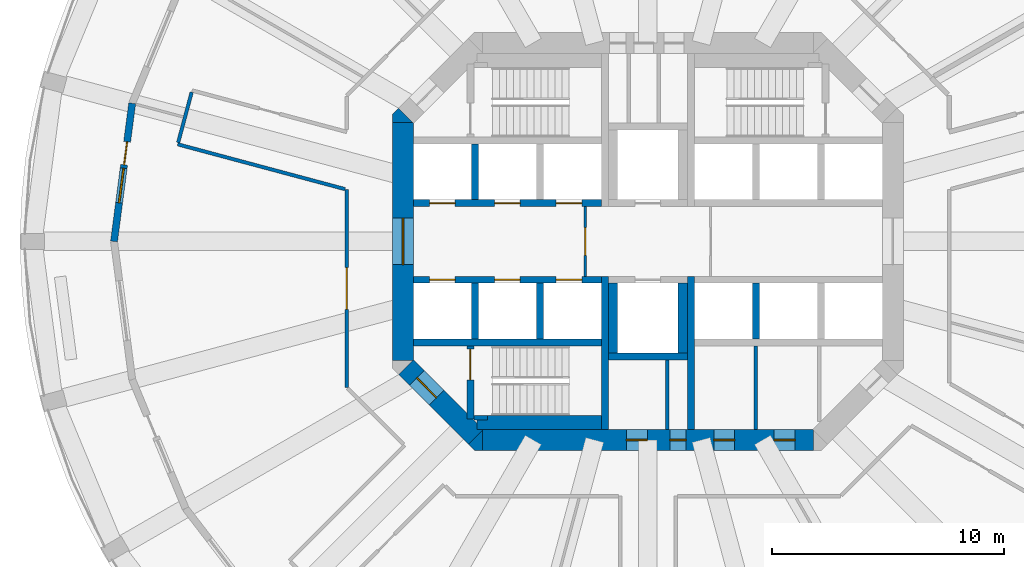
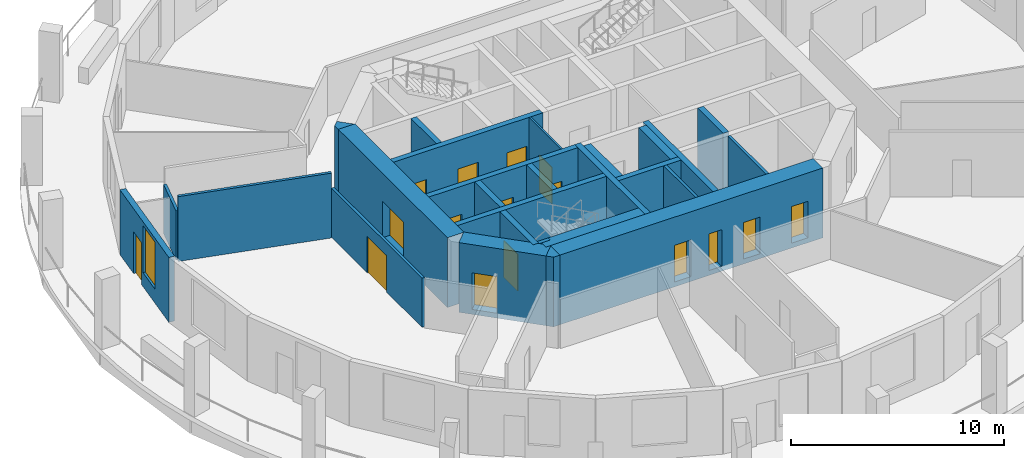
# One storey, part 3 of 9: 27 walls, 16 doors, 1 window, 17 openings.
"""IFC4 building model written with IfcOpenShell, lengths in metres."""

from ifc_helpers import new_model, si_unit, direction, frame, frame_2d, origin, place, context, subcontext, project, spatial, polyline, rectangle, outline, extrude, material, layer, layer_set, type_object, element, fill, save


model = new_model("IFC4")

# Units and contexts
model_context = context("Model", 3, precision=1e-05, world=origin(), true_north=direction((0.0, 1.0)))
body_context = subcontext(model_context, "Body", "Model", "MODEL_VIEW")
ifc_project = project(units=[si_unit("LENGTHUNIT", "METRE"), si_unit("AREAUNIT", "SQUARE_METRE"), si_unit("VOLUMEUNIT", "CUBIC_METRE"), si_unit("PLANEANGLEUNIT", "RADIAN"), si_unit("MASSUNIT", "GRAM", prefix="KILO")], contexts=[model_context])

# Site, building, storey
site_placement = place(None, origin())
site = spatial("IfcSite", under=ifc_project, at=site_placement, CompositionType="ELEMENT")
building_placement = place(site_placement, origin())
building = spatial("IfcBuilding", under=site, at=building_placement, Name="Torre Triforio", CompositionType="ELEMENT")
storey_placement = place(building_placement, frame((0.0, 0.0, 47.0)))
storey = spatial("IfcBuildingStorey", under=building, at=storey_placement, Name="L09", CompositionType="ELEMENT", Elevation=47.0)

# Walls
ifc_material_1 = material(Name="Concrete C60", Category="concrete")
ifc_layer_1 = layer(ifc_material_1, 0.300048828125)
ifc_layer_set_1 = layer_set([ifc_layer_1], Name="Concrete C60")
wall_type_1 = type_object("IfcWallType", Name="Core wall 300 mm C60 EI 120", PredefinedType="SHEAR", material=ifc_layer_set_1)
for number, where, z_axis, x_axis, name in (
    (1, (-1.85009765625, -8.10009765625, 0.0), (0.0, 0.0, 1.0), (0.0, 1.0, 0.0), "Core wall"),
    (2, (1.85009765625, -8.10009765625, 0.0), (0.0, 0.0, 1.0), (0.0, 1.0, 0.0), "Core wall"),
):
    element("IfcWall", number, at=place(storey_placement, frame(where, z_axis=z_axis, x_axis=x_axis)), inside=storey, type_object=wall_type_1, Name=name, PredefinedType="SHEAR", context=body_context, shape_type="SweptSolid", body=[
        extrude(rectangle(XDim=6.60009765625, YDim=0.300048828125, at=frame_2d((3.300048828125, 0.0))), origin(), (0.0, 0.0, 1.0), 3.719970703125),
    ])

# Wall, openings, doors
ifc_layer_2 = layer(ifc_material_1, 0.89990234375)
ifc_layer_set_2 = layer_set([ifc_layer_2], Name="Concrete C60")
wall_type_2 = type_object("IfcWallType", Name="Core wall 900 mm C60 EI 120", PredefinedType="SHEAR", material=ifc_layer_set_2)
wall_1_placement = place(storey_placement, frame((-7.1298828125, -8.550048828125, -0.280029296875), z_axis=(0.0, 0.0, 1.0), x_axis=(1.0, 0.0, 0.0)))
wall_1 = element("IfcWall", 3, at=wall_1_placement, inside=storey, type_object=wall_type_2, Name="Core wall", PredefinedType="SHEAR", context=body_context, shape_type="SweptSolid", body=[
    extrude(rectangle(XDim=14.259765625, YDim=0.89990234375, at=frame_2d((7.1298828125, 0.0))), origin(), (0.0, 0.0, 1.0), 4.0),
])
opening_1_placement = place(wall_1_placement, frame((8.080078125, 0.0, 0.280029296875)))
opening_1 = element("IfcOpeningElement", 4, at=opening_1_placement, cuts=wall_1, Name="Opening RISER-S", PredefinedType="OPENING", context=body_context, shape_type="SweptSolid", body=[
    extrude(rectangle(XDim=0.699951171875, YDim=2.10009765625, at=frame_2d((0.35009765625, 1.050048828125))), frame((0.0, 0.4599609375, 0.0), z_axis=(0.0, -1.0, 0.0), x_axis=(1.0, 0.0, 0.0)), (0.0, 0.0, 1.0), 0.919921875),
])
opening_2_placement = place(wall_1_placement, frame((6.205078125, 0.0, 0.280029296875)))
opening_2 = element("IfcOpeningElement", 5, at=opening_2_placement, cuts=wall_1, Name="Opening SW-01B", PredefinedType="OPENING", context=body_context, shape_type="SweptSolid", body=[
    extrude(rectangle(XDim=0.89990234375, YDim=2.10009765625, at=frame_2d((0.449951171875, 1.050048828125))), frame((0.0, 0.4599609375, 0.0), z_axis=(0.0, -1.0, 0.0), x_axis=(1.0, 0.0, 0.0)), (0.0, 0.0, 1.0), 0.919921875),
])
opening_3_placement = place(wall_1_placement, frame((9.967041015625, 0.0, 0.280029296875)))
opening_3 = element("IfcOpeningElement", 6, at=opening_3_placement, cuts=wall_1, Name="Opening SE-01A", PredefinedType="OPENING", context=body_context, shape_type="SweptSolid", body=[
    extrude(rectangle(XDim=0.89990234375, YDim=2.10009765625, at=frame_2d((0.449951171875, 1.050048828125))), frame((0.0, 0.4599609375, 0.0), z_axis=(0.0, -1.0, 0.0), x_axis=(1.0, 0.0, 0.0)), (0.0, 0.0, 1.0), 0.919921875),
])
opening_4_placement = place(wall_1_placement, frame((12.56689453125, 0.0, 0.280029296875)))
opening_4 = element("IfcOpeningElement", 7, at=opening_4_placement, cuts=wall_1, Name="Opening SE-02", PredefinedType="OPENING", context=body_context, shape_type="SweptSolid", body=[
    extrude(rectangle(XDim=0.89990234375, YDim=2.10009765625, at=frame_2d((0.449951171875, 1.050048828125))), frame((0.0, 0.4599609375, 0.0), z_axis=(0.0, -1.0, 0.0), x_axis=(1.0, 0.0, 0.0)), (0.0, 0.0, 1.0), 0.919921875),
])
ifc_material_2 = material(Name="Hollow metal fire door leaf")
door_type_1 = type_object("IfcDoorType", Name="Riser door 700 x 2100 EI 60", OperationType="NOTDEFINED", PredefinedType="DOOR", material=ifc_material_2)
door_1_placement = place(opening_1_placement, origin())
door_1 = element("IfcDoor", 8, at=door_1_placement, inside=storey, type_object=door_type_1, Name="Core door RISER-S", OperationType="SINGLE_SWING_RIGHT", OverallHeight=2.10009765625, OverallWidth=0.699951171875, PredefinedType="DOOR", context=body_context, shape_type="SweptSolid", body=[
    extrude(rectangle(XDim=0.699951171875, YDim=2.10009765625, at=frame_2d((0.35009765625, 1.050048828125))), frame((0.0, 0.02490234375, 0.0), z_axis=(0.0, -1.0, 0.0), x_axis=(1.0, 0.0, 0.0)), (0.0, 0.0, 1.0), 0.050048828125),
])
fill(opening_1, door_1)
door_type_2 = type_object("IfcDoorType", Name="Room door 900 x 2100 EI 60", OperationType="NOTDEFINED", PredefinedType="DOOR", material=ifc_material_2)
door_2_placement = place(opening_2_placement, origin())
door_2 = element("IfcDoor", 9, at=door_2_placement, inside=storey, type_object=door_type_2, Name="Core door SW-01", OperationType="SINGLE_SWING_LEFT", OverallHeight=2.10009765625, OverallWidth=0.89990234375, PredefinedType="DOOR", context=body_context, shape_type="SweptSolid", body=[
    extrude(rectangle(XDim=0.89990234375, YDim=2.10009765625, at=frame_2d((0.449951171875, 1.050048828125))), frame((0.0, 0.02490234375, 0.0), z_axis=(0.0, -1.0, 0.0), x_axis=(1.0, 0.0, 0.0)), (0.0, 0.0, 1.0), 0.050048828125),
])
fill(opening_2, door_2)
door_3_placement = place(opening_3_placement, origin())
door_3 = element("IfcDoor", 10, at=door_3_placement, inside=storey, type_object=door_type_2, Name="Core door SE-01", OperationType="SINGLE_SWING_LEFT", OverallHeight=2.10009765625, OverallWidth=0.89990234375, PredefinedType="DOOR", context=body_context, shape_type="SweptSolid", body=[
    extrude(rectangle(XDim=0.89990234375, YDim=2.10009765625, at=frame_2d((0.449951171875, 1.050048828125))), frame((0.0, 0.02490234375, 0.0), z_axis=(0.0, -1.0, 0.0), x_axis=(1.0, 0.0, 0.0)), (0.0, 0.0, 1.0), 0.050048828125),
])
fill(opening_3, door_3)
door_4_placement = place(opening_4_placement, origin())
door_4 = element("IfcDoor", 11, at=door_4_placement, inside=storey, type_object=door_type_2, Name="Core door SE-02", OperationType="SINGLE_SWING_LEFT", OverallHeight=2.10009765625, OverallWidth=0.89990234375, PredefinedType="DOOR", context=body_context, shape_type="SweptSolid", body=[
    extrude(rectangle(XDim=0.89990234375, YDim=2.10009765625, at=frame_2d((0.449951171875, 1.050048828125))), frame((0.0, 0.02490234375, 0.0), z_axis=(0.0, -1.0, 0.0), x_axis=(1.0, 0.0, 0.0)), (0.0, 0.0, 1.0), 0.050048828125),
])
fill(opening_4, door_4)

# Wall, opening, door
wall_2_placement = place(storey_placement, frame((-10.550048828125, -5.1298828125, -0.280029296875), z_axis=(0.0, 0.0, 1.0), x_axis=(0.0, 1.0, 0.0)))
wall_2 = element("IfcWall", 12, at=wall_2_placement, inside=storey, type_object=wall_type_2, Name="Core wall", PredefinedType="SHEAR", context=body_context, shape_type="SweptSolid", body=[
    extrude(rectangle(XDim=10.259765625, YDim=0.89990234375, at=frame_2d((5.1298828125, 0.0))), origin(), (0.0, 0.0, 1.0), 4.0),
])
opening_5_placement = place(wall_2_placement, frame((4.1298828125, 0.0, 0.280029296875)))
opening_5 = element("IfcOpeningElement", 13, at=opening_5_placement, cuts=wall_2, Name="Opening W-RING", PredefinedType="OPENING", context=body_context, shape_type="SweptSolid", body=[
    extrude(rectangle(XDim=2.0, YDim=2.10009765625, at=frame_2d((1.0, 1.050048828125))), frame((0.0, 0.4599609375, 0.0), z_axis=(0.0, -1.0, 0.0), x_axis=(1.0, 0.0, 0.0)), (0.0, 0.0, 1.0), 0.919921875),
])
door_type_3 = type_object("IfcDoorType", Name="Lobby door 2000 x 2100 EI 60", OperationType="DOUBLE_DOOR_SINGLE_SWING", PredefinedType="DOOR", material=ifc_material_2)
door_5_placement = place(opening_5_placement, origin())
door_5 = element("IfcDoor", 14, at=door_5_placement, inside=storey, type_object=door_type_3, Name="Core door W-RING", OperationType="DOUBLE_DOOR_SINGLE_SWING", OverallHeight=2.10009765625, OverallWidth=2.0, PredefinedType="DOOR", context=body_context, shape_type="SweptSolid", body=[
    extrude(rectangle(XDim=2.0, YDim=2.10009765625, at=frame_2d((1.0, 1.050048828125))), frame((0.0, 0.02490234375, 0.0), z_axis=(0.0, -1.0, 0.0), x_axis=(1.0, 0.0, 0.0)), (0.0, 0.0, 1.0), 0.050048828125),
])
fill(opening_5, door_5)

wall_3_placement = place(storey_placement, frame((-7.418212890625, -8.418212890625, -0.280029296875), z_axis=(0.0, 0.0, 1.0), x_axis=(-0.707106781187, 0.707106781187, 0.0)))
wall_3 = element("IfcWall", 15, at=wall_3_placement, inside=storey, type_object=wall_type_2, Name="Core wall", PredefinedType="SHEAR", context=body_context, shape_type="SweptSolid", body=[
    extrude(rectangle(XDim=4.24267578125, YDim=0.89990234375, at=frame_2d((2.121337890625, 0.0))), origin(), (0.0, 0.0, 1.0), 4.0),
])
opening_6_placement = place(wall_3_placement, frame((2.392578125, 0.0, 0.280029296875)))
opening_6 = element("IfcOpeningElement", 16, at=opening_6_placement, cuts=wall_3, Name="Opening ST3-EXIT", PredefinedType="OPENING", context=body_context, shape_type="SweptSolid", body=[
    extrude(rectangle(XDim=1.199951171875, YDim=2.10009765625, at=frame_2d((0.60009765625, 1.050048828125))), frame((0.0, 0.4599609375, 0.0), z_axis=(0.0, -1.0, 0.0), x_axis=(1.0, 0.0, 0.0)), (0.0, 0.0, 1.0), 0.919921875),
])
door_type_4 = type_object("IfcDoorType", Name="Stair lobby door 1200 x 2100 EI 60", OperationType="NOTDEFINED", PredefinedType="DOOR", material=ifc_material_2)
door_6_placement = place(opening_6_placement, origin())
door_6 = element("IfcDoor", 17, at=door_6_placement, inside=storey, type_object=door_type_4, Name="Core door ST3-EXIT", OperationType="SINGLE_SWING_RIGHT", OverallHeight=2.10009765625, OverallWidth=1.199951171875, PredefinedType="DOOR", context=body_context, shape_type="SweptSolid", body=[
    extrude(rectangle(XDim=1.199951171875, YDim=2.10009765625, at=frame_2d((0.60009765625, 1.050048828125))), frame((0.0, 0.02490234375, 0.0), z_axis=(0.0, -1.0, 0.0), x_axis=(1.0, 0.0, 0.0)), (0.0, 0.0, 1.0), 0.050048828125),
])
fill(opening_6, door_6)

# Walls
wall_4_placement = place(storey_placement, frame((0.0, 0.0, -0.280029296875)))
element("IfcWall", 18, at=wall_4_placement, inside=storey, type_object=wall_type_2, Name="Core wall", PredefinedType="SHEAR", context=body_context, shape_type="SweptSolid", body=[
    extrude(outline(polyline([(-7.472900390625, -9.0), (-7.736328125, -8.736328125), (-7.1298828125, -8.1298828125), (-7.1298828125, -9.0), (-7.472900390625, -9.0)])), origin(), (0.0, 0.0, 1.0), 4.0),
])
wall_5_placement = place(storey_placement, frame((0.0, 0.0, -0.280029296875)))
element("IfcWall", 19, at=wall_5_placement, inside=storey, type_object=wall_type_2, Name="Core wall", PredefinedType="SHEAR", context=body_context, shape_type="SweptSolid", body=[
    extrude(outline(polyline([(-10.736328125, 5.736328125), (-10.1298828125, 5.1298828125), (-11.0, 5.1298828125), (-11.0, 5.472900390625), (-10.736328125, 5.736328125)])), origin(), (0.0, 0.0, 1.0), 4.0),
])

# Wall, opening, door
ifc_material_3 = material(Name="Plasterboard on metal studs")
ifc_layer_3 = layer(ifc_material_3, 0.14990234375)
ifc_layer_set_3 = layer_set([ifc_layer_3], Name="Plasterboard on metal studs")
wall_type_3 = type_object("IfcWallType", Name="Corridor and tenancy wall 150 mm EI 60", PredefinedType="PARTITIONING", material=ifc_layer_set_3)
wall_6_placement = place(storey_placement, frame((-12.97509765625, -6.291015625, 0.0), z_axis=(0.0, 0.0, 1.0), x_axis=(0.0, 1.0, 0.0)))
wall_6 = element("IfcWall", 20, at=wall_6_placement, inside=storey, type_object=wall_type_3, Name="Partition 14", PredefinedType="PARTITIONING", context=body_context, shape_type="SweptSolid", body=[
    extrude(rectangle(XDim=8.525390625, YDim=0.14990234375, at=frame_2d((4.2626953125, 0.0))), origin(), (0.0, 0.0, 1.0), 2.820068359375),
])
opening_7_placement = place(wall_6_placement, frame((3.362548828125, 0.0, 0.0)))
opening_7 = element("IfcOpeningElement", 21, at=opening_7_placement, cuts=wall_6, Name="Opening N2-04", PredefinedType="OPENING", context=body_context, shape_type="SweptSolid", body=[
    extrude(rectangle(XDim=1.800048828125, YDim=2.10009765625, at=frame_2d((0.89990234375, 1.050048828125))), frame((0.0, 0.0849609375, 0.0), z_axis=(0.0, -1.0, 0.0), x_axis=(1.0, 0.0, 0.0)), (0.0, 0.0, 1.0), 0.169921875),
])
ifc_material_4 = material(Name="Timber", Category="wood")
door_type_5 = type_object("IfcDoorType", Name="Door 1800 x 2100 double leaf EI 30", OperationType="DOUBLE_DOOR_SINGLE_SWING", PredefinedType="DOOR", material=ifc_material_4)
door_7_placement = place(opening_7_placement, origin())
door_7 = element("IfcDoor", 22, at=door_7_placement, inside=storey, type_object=door_type_5, Name="Door N2-04", OperationType="DOUBLE_DOOR_SINGLE_SWING", OverallHeight=2.10009765625, OverallWidth=1.800048828125, PredefinedType="DOOR", context=body_context, shape_type="SweptSolid", body=[
    extrude(rectangle(XDim=1.800048828125, YDim=2.10009765625, at=frame_2d((0.89990234375, 1.050048828125))), frame((0.0, 0.02490234375, 0.0), z_axis=(0.0, -1.0, 0.0), x_axis=(1.0, 0.0, 0.0)), (0.0, 0.0, 1.0), 0.050048828125),
])
fill(opening_7, door_7)

# Walls
wall_7_placement = place(storey_placement, frame((-13.044921875, 2.253173828125, 0.0), z_axis=(0.0, 0.0, 1.0), x_axis=(-0.965924840231, 0.258822725092, 0.0)))
element("IfcWall", 23, at=wall_7_placement, inside=storey, type_object=wall_type_3, Name="Partition 15", PredefinedType="PARTITIONING", context=body_context, shape_type="SweptSolid", body=[
    extrude(rectangle(XDim=7.465087890625, YDim=0.14990234375, at=frame_2d((3.732421875, 0.0))), origin(), (0.0, 0.0, 1.0), 3.719970703125),
])
wall_8_placement = place(storey_placement, frame((-20.236328125, 4.257568359375, 0.0), z_axis=(0.0, 0.0, 1.0), x_axis=(0.258891558609, 0.965906393436, 0.0)))
element("IfcWall", 24, at=wall_8_placement, inside=storey, type_object=wall_type_3, Name="Partition 16", PredefinedType="PARTITIONING", context=body_context, shape_type="SweptSolid", body=[
    extrude(rectangle(XDim=2.25, YDim=0.14990234375, at=frame_2d((1.125, 0.0))), origin(), (0.0, 0.0, 1.0), 2.820068359375),
])

# Wall, opening, door
ifc_material_5 = material(Name="Block and board partition")
ifc_layer_4 = layer(ifc_material_5, 0.10009765625)
ifc_layer_set_4 = layer_set([ifc_layer_4], Name="Block and board partition")
wall_type_4 = type_object("IfcWallType", Name="Partition 100 mm EI 120", PredefinedType="PARTITIONING", material=ifc_layer_set_4)
wall_9_placement = place(storey_placement, frame((-2.699951171875, -1.5, 0.0), z_axis=(0.0, 0.0, 1.0), x_axis=(0.0, 1.0, 0.0)))
wall_9 = element("IfcWall", 25, at=wall_9_placement, inside=storey, type_object=wall_type_4, Name="Partition", PredefinedType="PARTITIONING", context=body_context, shape_type="SweptSolid", body=[
    extrude(rectangle(XDim=3.0, YDim=0.10009765625, at=frame_2d((1.5, 0.0))), origin(), (0.0, 0.0, 1.0), 3.719970703125),
])
opening_8_placement = place(wall_9_placement, frame((0.89990234375, 0.0, 0.0)))
opening_8 = element("IfcOpeningElement", 26, at=opening_8_placement, cuts=wall_9, Name="Opening FF-W", PredefinedType="OPENING", context=body_context, shape_type="SweptSolid", body=[
    extrude(rectangle(XDim=1.199951171875, YDim=2.10009765625, at=frame_2d((0.60009765625, 1.050048828125))), frame((0.0, 0.06005859375, 0.0), z_axis=(0.0, -1.0, 0.0), x_axis=(1.0, 0.0, 0.0)), (0.0, 0.0, 1.0), 0.1201171875),
])
door_type_6 = type_object("IfcDoorType", Name="Fire-fighting lobby door 1200 x 2100 EI 60", OperationType="NOTDEFINED", PredefinedType="DOOR", material=ifc_material_2)
door_8_placement = place(opening_8_placement, origin())
door_8 = element("IfcDoor", 27, at=door_8_placement, inside=storey, type_object=door_type_6, Name="Core door FF-W", OperationType="SINGLE_SWING_RIGHT", OverallHeight=2.10009765625, OverallWidth=1.199951171875, PredefinedType="DOOR", context=body_context, shape_type="SweptSolid", body=[
    extrude(rectangle(XDim=1.199951171875, YDim=2.10009765625, at=frame_2d((0.60009765625, 1.050048828125))), frame((0.0, 0.02490234375, 0.0), z_axis=(0.0, -1.0, 0.0), x_axis=(1.0, 0.0, 0.0)), (0.0, 0.0, 1.0), 0.050048828125),
])
fill(opening_8, door_8)

# Walls
ifc_layer_5 = layer(ifc_material_5, 0.14990234375)
ifc_layer_set_5 = layer_set([ifc_layer_5], Name="Block and board partition")
wall_type_5 = type_object("IfcWallType", Name="Partition 150 mm", PredefinedType="PARTITIONING", material=ifc_layer_set_5)
wall_10_placement = place(storey_placement, frame((4.64892578125, -8.10009765625, 0.0), z_axis=(0.0, 0.0, 1.0), x_axis=(0.0, 1.0, 0.0)))
element("IfcWall", 28, at=wall_10_placement, inside=storey, type_object=wall_type_5, Name="Partition", PredefinedType="PARTITIONING", context=body_context, shape_type="SweptSolid", body=[
    extrude(rectangle(XDim=3.60009765625, YDim=0.14990234375, at=frame_2d((1.800048828125, 0.0))), origin(), (0.0, 0.0, 1.0), 3.719970703125),
])
ifc_layer_6 = layer(ifc_material_5, 0.14990234375)
ifc_layer_set_6 = layer_set([ifc_layer_6], Name="Block and board partition")
wall_type_6 = type_object("IfcWallType", Name="Partition 150 mm EI 120", PredefinedType="PARTITIONING", material=ifc_layer_set_6)
wall_11_placement = place(storey_placement, frame((0.824951171875, -8.10009765625, 0.0), z_axis=(0.0, 0.0, 1.0), x_axis=(0.0, 1.0, 0.0)))
element("IfcWall", 29, at=wall_11_placement, inside=storey, type_object=wall_type_6, Name="Partition", PredefinedType="PARTITIONING", context=body_context, shape_type="SweptSolid", body=[
    extrude(rectangle(XDim=3.0, YDim=0.14990234375, at=frame_2d((1.5, 0.0))), origin(), (0.0, 0.0, 1.0), 3.719970703125),
])
ifc_layer_7 = layer(ifc_material_1, 0.300048828125)
ifc_layer_set_7 = layer_set([ifc_layer_7], Name="Concrete C60")
wall_type_7 = type_object("IfcWallType", Name="Shaft wall 300 mm C60 EI 120", PredefinedType="SOLIDWALL", material=ifc_layer_set_7)
wall_12_placement = place(storey_placement, frame((-10.10009765625, -4.35009765625, 0.0), z_axis=(0.0, 0.0, 1.0), x_axis=(1.0, 0.0, 0.0)))
element("IfcWall", 30, at=wall_12_placement, inside=storey, type_object=wall_type_7, Name="Shaft wall", PredefinedType="SOLIDWALL", context=body_context, shape_type="SweptSolid", body=[
    extrude(rectangle(XDim=8.10009765625, YDim=0.300048828125, at=frame_2d((4.050048828125, 0.0))), origin(), (0.0, 0.0, 1.0), 3.719970703125),
])

# Wall, openings, doors
wall_13_placement = place(storey_placement, frame((-10.10009765625, 1.64990234375, 0.0), z_axis=(0.0, 0.0, 1.0), x_axis=(1.0, 0.0, 0.0)))
wall_13 = element("IfcWall", 31, at=wall_13_placement, inside=storey, type_object=wall_type_7, Name="Shaft wall", PredefinedType="SOLIDWALL", context=body_context, shape_type="SweptSolid", body=[
    extrude(rectangle(XDim=8.10009765625, YDim=0.300048828125, at=frame_2d((4.050048828125, 0.0))), origin(), (0.0, 0.0, 1.0), 3.719970703125),
])
opening_9_placement = place(wall_13_placement, frame((0.699951171875, 0.0, 0.0)))
opening_9 = element("IfcOpeningElement", 32, at=opening_9_placement, cuts=wall_13, Name="Opening LD", PredefinedType="OPENING", context=body_context, shape_type="SweptSolid", body=[
    extrude(rectangle(XDim=1.10009765625, YDim=2.10009765625, at=frame_2d((0.550048828125, 1.050048828125))), frame((0.0, 0.159912109375, 0.0), z_axis=(0.0, -1.0, 0.0), x_axis=(1.0, 0.0, 0.0)), (0.0, 0.0, 1.0), 0.320068359375),
])
opening_10_placement = place(wall_13_placement, frame((3.5, 0.0, 0.0)))
opening_10 = element("IfcOpeningElement", 33, at=opening_10_placement, cuts=wall_13, Name="Opening LD", PredefinedType="OPENING", context=body_context, shape_type="SweptSolid", body=[
    extrude(rectangle(XDim=1.10009765625, YDim=2.10009765625, at=frame_2d((0.550048828125, 1.050048828125))), frame((0.0, 0.159912109375, 0.0), z_axis=(0.0, -1.0, 0.0), x_axis=(1.0, 0.0, 0.0)), (0.0, 0.0, 1.0), 0.320068359375),
])
opening_11_placement = place(wall_13_placement, frame((6.14990234375, 0.0, 0.0)))
opening_11 = element("IfcOpeningElement", 34, at=opening_11_placement, cuts=wall_13, Name="Opening LD", PredefinedType="OPENING", context=body_context, shape_type="SweptSolid", body=[
    extrude(rectangle(XDim=1.10009765625, YDim=2.10009765625, at=frame_2d((0.550048828125, 1.050048828125))), frame((0.0, 0.159912109375, 0.0), z_axis=(0.0, -1.0, 0.0), x_axis=(1.0, 0.0, 0.0)), (0.0, 0.0, 1.0), 0.320068359375),
])
door_type_7 = type_object("IfcDoorType", Name="Landing door 1100 x 2100 EI 60", OperationType="DOUBLE_DOOR_SLIDING", PredefinedType="DOOR", material=ifc_material_2)
door_9_placement = place(opening_9_placement, origin())
door_9 = element("IfcDoor", 35, at=door_9_placement, inside=storey, type_object=door_type_7, Name="Landing door LR1", OperationType="DOUBLE_DOOR_SLIDING", OverallHeight=2.10009765625, OverallWidth=1.10009765625, PredefinedType="DOOR", context=body_context, shape_type="SweptSolid", body=[
    extrude(rectangle(XDim=1.10009765625, YDim=2.10009765625, at=frame_2d((0.550048828125, 1.050048828125))), frame((0.0, 0.02490234375, 0.0), z_axis=(0.0, -1.0, 0.0), x_axis=(1.0, 0.0, 0.0)), (0.0, 0.0, 1.0), 0.050048828125),
])
fill(opening_9, door_9)
door_10_placement = place(opening_10_placement, origin())
door_10 = element("IfcDoor", 36, at=door_10_placement, inside=storey, type_object=door_type_7, Name="Landing door LR2", OperationType="DOUBLE_DOOR_SLIDING", OverallHeight=2.10009765625, OverallWidth=1.10009765625, PredefinedType="DOOR", context=body_context, shape_type="SweptSolid", body=[
    extrude(rectangle(XDim=1.10009765625, YDim=2.10009765625, at=frame_2d((0.550048828125, 1.050048828125))), frame((0.0, 0.02490234375, 0.0), z_axis=(0.0, -1.0, 0.0), x_axis=(1.0, 0.0, 0.0)), (0.0, 0.0, 1.0), 0.050048828125),
])
fill(opening_10, door_10)
door_11_placement = place(opening_11_placement, origin())
door_11 = element("IfcDoor", 37, at=door_11_placement, inside=storey, type_object=door_type_7, Name="Landing door LR3", OperationType="DOUBLE_DOOR_SLIDING", OverallHeight=2.10009765625, OverallWidth=1.10009765625, PredefinedType="DOOR", context=body_context, shape_type="SweptSolid", body=[
    extrude(rectangle(XDim=1.10009765625, YDim=2.10009765625, at=frame_2d((0.550048828125, 1.050048828125))), frame((0.0, 0.02490234375, 0.0), z_axis=(0.0, -1.0, 0.0), x_axis=(1.0, 0.0, 0.0)), (0.0, 0.0, 1.0), 0.050048828125),
])
fill(opening_11, door_11)

wall_14_placement = place(storey_placement, frame((-10.10009765625, -1.64990234375, 0.0), z_axis=(0.0, 0.0, 1.0), x_axis=(1.0, 0.0, 0.0)))
wall_14 = element("IfcWall", 38, at=wall_14_placement, inside=storey, type_object=wall_type_7, Name="Shaft wall", PredefinedType="SOLIDWALL", context=body_context, shape_type="SweptSolid", body=[
    extrude(rectangle(XDim=8.10009765625, YDim=0.300048828125, at=frame_2d((4.050048828125, 0.0))), origin(), (0.0, 0.0, 1.0), 3.719970703125),
])
opening_12_placement = place(wall_14_placement, frame((0.699951171875, 0.0, 0.0)))
opening_12 = element("IfcOpeningElement", 39, at=opening_12_placement, cuts=wall_14, Name="Opening LD", PredefinedType="OPENING", context=body_context, shape_type="SweptSolid", body=[
    extrude(rectangle(XDim=1.10009765625, YDim=2.10009765625, at=frame_2d((0.550048828125, 1.050048828125))), frame((0.0, 0.159912109375, 0.0), z_axis=(0.0, -1.0, 0.0), x_axis=(1.0, 0.0, 0.0)), (0.0, 0.0, 1.0), 0.320068359375),
])
opening_13_placement = place(wall_14_placement, frame((3.5, 0.0, 0.0)))
opening_13 = element("IfcOpeningElement", 40, at=opening_13_placement, cuts=wall_14, Name="Opening LD", PredefinedType="OPENING", context=body_context, shape_type="SweptSolid", body=[
    extrude(rectangle(XDim=1.10009765625, YDim=2.10009765625, at=frame_2d((0.550048828125, 1.050048828125))), frame((0.0, 0.159912109375, 0.0), z_axis=(0.0, -1.0, 0.0), x_axis=(1.0, 0.0, 0.0)), (0.0, 0.0, 1.0), 0.320068359375),
])
opening_14_placement = place(wall_14_placement, frame((6.14990234375, 0.0, 0.0)))
opening_14 = element("IfcOpeningElement", 41, at=opening_14_placement, cuts=wall_14, Name="Opening LD", PredefinedType="OPENING", context=body_context, shape_type="SweptSolid", body=[
    extrude(rectangle(XDim=1.10009765625, YDim=2.10009765625, at=frame_2d((0.550048828125, 1.050048828125))), frame((0.0, 0.159912109375, 0.0), z_axis=(0.0, -1.0, 0.0), x_axis=(1.0, 0.0, 0.0)), (0.0, 0.0, 1.0), 0.320068359375),
])
door_12_placement = place(opening_12_placement, origin())
door_12 = element("IfcDoor", 42, at=door_12_placement, inside=storey, type_object=door_type_7, Name="Landing door LR4", OperationType="DOUBLE_DOOR_SLIDING", OverallHeight=2.10009765625, OverallWidth=1.10009765625, PredefinedType="DOOR", context=body_context, shape_type="SweptSolid", body=[
    extrude(rectangle(XDim=1.10009765625, YDim=2.10009765625, at=frame_2d((0.550048828125, 1.050048828125))), frame((0.0, 0.02490234375, 0.0), z_axis=(0.0, -1.0, 0.0), x_axis=(1.0, 0.0, 0.0)), (0.0, 0.0, 1.0), 0.050048828125),
])
fill(opening_12, door_12)
door_13_placement = place(opening_13_placement, origin())
door_13 = element("IfcDoor", 43, at=door_13_placement, inside=storey, type_object=door_type_7, Name="Landing door LR5", OperationType="DOUBLE_DOOR_SLIDING", OverallHeight=2.10009765625, OverallWidth=1.10009765625, PredefinedType="DOOR", context=body_context, shape_type="SweptSolid", body=[
    extrude(rectangle(XDim=1.10009765625, YDim=2.10009765625, at=frame_2d((0.550048828125, 1.050048828125))), frame((0.0, 0.02490234375, 0.0), z_axis=(0.0, -1.0, 0.0), x_axis=(1.0, 0.0, 0.0)), (0.0, 0.0, 1.0), 0.050048828125),
])
fill(opening_13, door_13)
door_14_placement = place(opening_14_placement, origin())
door_14 = element("IfcDoor", 44, at=door_14_placement, inside=storey, type_object=door_type_7, Name="Landing door LR6", OperationType="DOUBLE_DOOR_SLIDING", OverallHeight=2.10009765625, OverallWidth=1.10009765625, PredefinedType="DOOR", context=body_context, shape_type="SweptSolid", body=[
    extrude(rectangle(XDim=1.10009765625, YDim=2.10009765625, at=frame_2d((0.550048828125, 1.050048828125))), frame((0.0, 0.02490234375, 0.0), z_axis=(0.0, -1.0, 0.0), x_axis=(1.0, 0.0, 0.0)), (0.0, 0.0, 1.0), 0.050048828125),
])
fill(opening_14, door_14)

# Walls
for number, where, z_axis, x_axis, name in (
    (45, (-7.449951171875, 1.800048828125, 0.0), (0.0, 0.0, 1.0), (0.0, 1.0, 0.0), "Shaft wall"),
    (46, (-7.449951171875, -4.199951171875, 0.0), (0.0, 0.0, 1.0), (0.0, 1.0, 0.0), "Shaft wall"),
    (47, (-4.64990234375, -4.199951171875, 0.0), (0.0, 0.0, 1.0), (0.0, 1.0, 0.0), "Shaft wall"),
    (48, (4.64990234375, -4.199951171875, 0.0), (0.0, 0.0, 1.0), (0.0, 1.0, 0.0), "Shaft wall"),
):
    element("IfcWall", number, at=place(storey_placement, frame(where, z_axis=z_axis, x_axis=x_axis)), inside=storey, type_object=wall_type_7, Name=name, PredefinedType="SOLIDWALL", context=body_context, shape_type="SweptSolid", body=[
        extrude(rectangle(XDim=2.39990234375, YDim=0.300048828125, at=frame_2d((1.199951171875, 0.0))), origin(), (0.0, 0.0, 1.0), 3.719970703125),
    ])
wall_15_placement = place(storey_placement, frame((-1.699951171875, -4.949951171875, 0.0), z_axis=(0.0, 0.0, 1.0), x_axis=(1.0, 0.0, 0.0)))
element("IfcWall", 49, at=wall_15_placement, inside=storey, type_object=wall_type_7, Name="Shaft wall", PredefinedType="SOLIDWALL", context=body_context, shape_type="SweptSolid", body=[
    extrude(rectangle(XDim=3.39990234375, YDim=0.300048828125, at=frame_2d((1.699951171875, 0.0))), origin(), (0.0, 0.0, 1.0), 3.719970703125),
])
ifc_layer_8 = layer(ifc_material_1, 0.39990234375)
ifc_layer_set_8 = layer_set([ifc_layer_8], Name="Concrete C60")
wall_type_8 = type_object("IfcWallType", Name="Shaft wall 400 mm C60 EI 120", PredefinedType="SOLIDWALL", material=ifc_layer_set_8)
for number, where, z_axis, x_axis, name in (
    (50, (-1.5, -4.800048828125, 0.0), (0.0, 0.0, 1.0), (0.0, 1.0, 0.0), "Shaft wall"),
    (51, (1.5, -4.800048828125, 0.0), (0.0, 0.0, 1.0), (0.0, 1.0, 0.0), "Shaft wall"),
):
    element("IfcWall", number, at=place(storey_placement, frame(where, z_axis=z_axis, x_axis=x_axis)), inside=storey, type_object=wall_type_8, Name=name, PredefinedType="SOLIDWALL", context=body_context, shape_type="SweptSolid", body=[
        extrude(rectangle(XDim=3.0, YDim=0.39990234375, at=frame_2d((1.5, 0.0))), origin(), (0.0, 0.0, 1.0), 3.719970703125),
    ])
ifc_layer_9 = layer(ifc_material_1, 0.199951171875)
ifc_layer_set_9 = layer_set([ifc_layer_9], Name="Concrete C60")
wall_type_9 = type_object("IfcWallType", Name="Stair wall 200 mm C60 EI 120", PredefinedType="SHEAR", material=ifc_layer_set_9)
wall_16_placement = place(storey_placement, frame((-7.5, -7.60009765625, 0.0), z_axis=(0.0, 0.0, 1.0), x_axis=(1.0, 0.0, 0.0)))
element("IfcWall", 52, at=wall_16_placement, inside=storey, type_object=wall_type_9, Name="Stair wall", PredefinedType="SHEAR", context=body_context, shape_type="SweptSolid", body=[
    extrude(rectangle(XDim=0.60009765625, YDim=0.199951171875, at=frame_2d((0.300048828125, 0.0))), origin(), (0.0, 0.0, 1.0), 3.719970703125),
])

# Wall, opening, door
ifc_layer_10 = layer(ifc_material_1, 0.300048828125)
ifc_layer_set_10 = layer_set([ifc_layer_10], Name="Concrete C60")
wall_type_10 = type_object("IfcWallType", Name="Stair wall 300 mm C60 EI 120", PredefinedType="SHEAR", material=ifc_layer_set_10)
wall_17_placement = place(storey_placement, frame((-7.64990234375, -7.639892578125, 0.0), z_axis=(0.0, 0.0, 1.0), x_axis=(0.0, 1.0, 0.0)))
wall_17 = element("IfcWall", 53, at=wall_17_placement, inside=storey, type_object=wall_type_10, Name="Stair wall", PredefinedType="SHEAR", context=body_context, shape_type="SweptSolid", body=[
    extrude(rectangle(XDim=3.139892578125, YDim=0.300048828125, at=frame_2d((1.56982421875, 0.0))), origin(), (0.0, 0.0, 1.0), 3.719970703125),
])
opening_15_placement = place(wall_17_placement, frame((1.679931640625, 0.0, 0.0)))
opening_15 = element("IfcOpeningElement", 54, at=opening_15_placement, cuts=wall_17, Name="Opening ST3-STA", PredefinedType="OPENING", context=body_context, shape_type="SweptSolid", body=[
    extrude(rectangle(XDim=1.320068359375, YDim=2.10009765625, at=frame_2d((0.66015625, 1.050048828125))), frame((0.0, 0.159912109375, 0.0), z_axis=(0.0, -1.0, 0.0), x_axis=(1.0, 0.0, 0.0)), (0.0, 0.0, 1.0), 0.320068359375),
])
door_type_8 = type_object("IfcDoorType", Name="Stair door 1320 x 2100 EI 90", OperationType="DOUBLE_DOOR_SINGLE_SWING", PredefinedType="DOOR", material=ifc_material_2)
door_15_placement = place(opening_15_placement, origin())
door_15 = element("IfcDoor", 55, at=door_15_placement, inside=storey, type_object=door_type_8, Name="Core door ST3-ST", OperationType="DOUBLE_DOOR_SINGLE_SWING", OverallHeight=2.10009765625, OverallWidth=1.320068359375, PredefinedType="DOOR", context=body_context, shape_type="SweptSolid", body=[
    extrude(rectangle(XDim=1.320068359375, YDim=2.10009765625, at=frame_2d((0.66015625, 1.050048828125))), frame((0.0, 0.02490234375, 0.0), z_axis=(0.0, -1.0, 0.0), x_axis=(1.0, 0.0, 0.0)), (0.0, 0.0, 1.0), 0.050048828125),
])
fill(opening_15, door_15)

# Wall
ifc_layer_11 = layer(ifc_material_1, 0.60009765625)
ifc_layer_set_11 = layer_set([ifc_layer_11], Name="Concrete C60")
wall_type_11 = type_object("IfcWallType", Name="Stair wall 600 mm C60 EI 120", PredefinedType="SHEAR", material=ifc_layer_set_11)
wall_18_placement = place(storey_placement, frame((-7.3701171875, -7.800048828125, 0.0), z_axis=(0.0, 0.0, 1.0), x_axis=(1.0, 0.0, 0.0)))
element("IfcWall", 56, at=wall_18_placement, inside=storey, type_object=wall_type_11, Name="Stair wall", PredefinedType="SHEAR", context=body_context, shape_type="SweptSolid", body=[
    extrude(rectangle(XDim=5.3701171875, YDim=0.60009765625, at=frame_2d((2.68505859375, 0.0))), origin(), (0.0, 0.0, 1.0), 3.719970703125),
])

# Wall, openings, door, window
ifc_material_6 = material(Name="Limestone cladding", Category="masonry")
ifc_layer_12 = layer(ifc_material_6, 0.10009765625)
ifc_material_7 = material(Name="Concrete C40", Category="concrete")
ifc_layer_13 = layer(ifc_material_7, 0.199951171875)
ifc_layer_set_12 = layer_set([ifc_layer_12, ifc_layer_13], Name="Limestone cladding / Concrete C40")
wall_type_12 = type_object("IfcWallType", Name="Stone-faced composite wall 300", PredefinedType="STANDARD", material=ifc_layer_set_12)
wall_19_placement = place(storey_placement, frame((-22.21630859375, 5.952880859375, 0.0), z_axis=(0.0, 0.0, 1.0), x_axis=(-0.130522880875, -0.991445297315, 0.0)))
wall_19 = element("IfcWall", 57, at=wall_19_placement, inside=storey, type_object=wall_type_12, Name="External wall L09 bay 12", PredefinedType="STANDARD", context=body_context, shape_type="SweptSolid", body=[
    extrude(rectangle(XDim=6.004150390625, YDim=0.300048828125, at=frame_2d((3.001953125, 0.0))), origin(), (0.0, 0.0, 1.0), 3.719970703125),
])
opening_16_placement = place(wall_19_placement, frame((1.677001953125, 0.0, 0.0)))
opening_16 = element("IfcOpeningElement", 58, at=opening_16_placement, cuts=wall_19, Name="Opening N2-D12", PredefinedType="OPENING", context=body_context, shape_type="SweptSolid", body=[
    extrude(rectangle(XDim=1.0, YDim=2.39990234375, at=frame_2d((0.5, 1.199951171875))), frame((0.0, 0.159912109375, 0.0), z_axis=(0.0, -1.0, 0.0), x_axis=(1.0, 0.0, 0.0)), (0.0, 0.0, 1.0), 0.320068359375),
])
opening_17_placement = place(wall_19_placement, frame((2.8271484375, 0.0, 0.800048828125)))
opening_17 = element("IfcOpeningElement", 59, at=opening_17_placement, cuts=wall_19, Name="Opening N2-W12A", PredefinedType="OPENING", context=body_context, shape_type="SweptSolid", body=[
    extrude(rectangle(XDim=1.5, YDim=2.699951171875, at=frame_2d((0.75, 1.35009765625))), frame((0.0, 0.159912109375, 0.0), z_axis=(0.0, -1.0, 0.0), x_axis=(1.0, 0.0, 0.0)), (0.0, 0.0, 1.0), 0.320068359375),
])
ifc_material_8 = material(Name="Aluminium frame with clear double glazing", Category="aluminium")
door_type_9 = type_object("IfcDoorType", Name="Loggia door 1000 x 2400", OperationType="NOTDEFINED", PredefinedType="DOOR", material=ifc_material_8)
door_16_placement = place(opening_16_placement, origin())
door_16 = element("IfcDoor", 60, at=door_16_placement, inside=storey, type_object=door_type_9, Name="Loggia door L09 bay 12", OperationType="SINGLE_SWING_LEFT", OverallHeight=2.39990234375, OverallWidth=1.0, PredefinedType="DOOR", context=body_context, shape_type="SweptSolid", body=[
    extrude(rectangle(XDim=1.0, YDim=2.39990234375, at=frame_2d((0.5, 1.199951171875))), frame((0.0, 0.02490234375, 0.0), z_axis=(0.0, -1.0, 0.0), x_axis=(1.0, 0.0, 0.0)), (0.0, 0.0, 1.0), 0.050048828125),
])
fill(opening_16, door_16)
window_type = type_object("IfcWindowType", Name="Side window 1500 x 2700", PartitioningType="SINGLE_PANEL", PredefinedType="WINDOW", material=ifc_material_8)
window_placement = place(opening_17_placement, origin())
window = element("IfcWindow", 61, at=window_placement, inside=storey, type_object=window_type, Name="Side window EWN12 L09 bay 12", OverallHeight=2.699951171875, OverallWidth=1.5, PartitioningType="SINGLE_PANEL", PredefinedType="WINDOW", context=body_context, shape_type="SweptSolid", body=[
    extrude(rectangle(XDim=1.5, YDim=2.699951171875, at=frame_2d((0.75, 1.35009765625))), frame((0.0, 0.030029296875, 0.0), z_axis=(0.0, -1.0, 0.0), x_axis=(1.0, 0.0, 0.0)), (0.0, 0.0, 1.0), 0.06005859375),
])
fill(opening_17, window)

save(model, "model.ifc")
